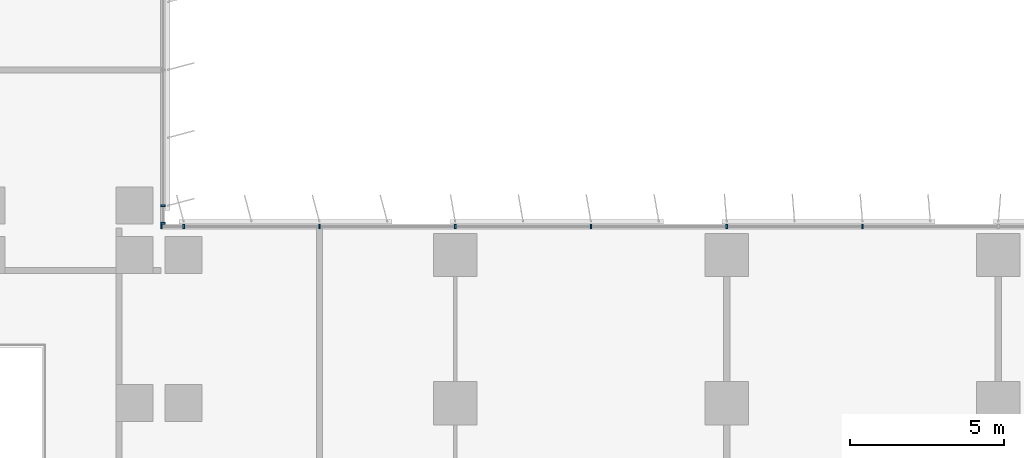
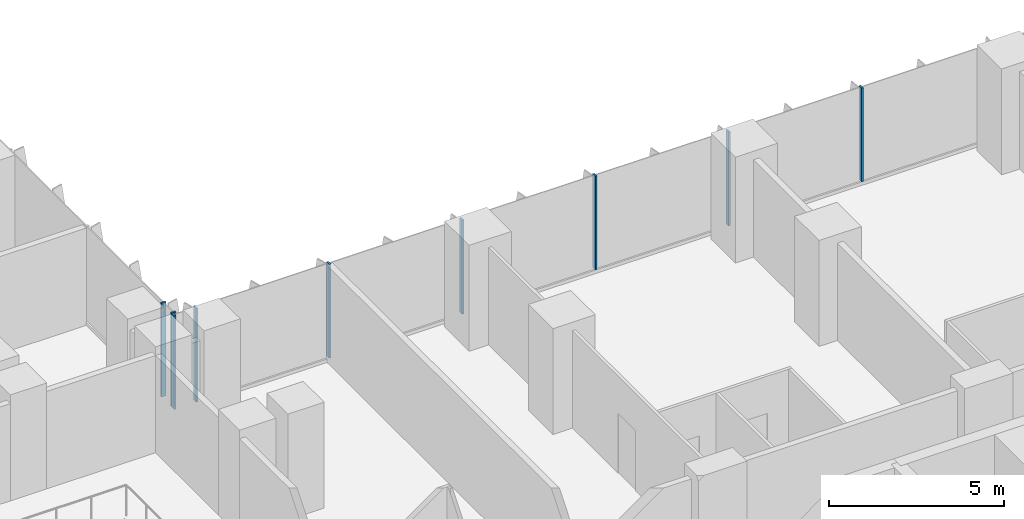
# One storey, part 2 of 24: 9 members, 2 elements without a shape of their own.
"""IFC4 building model written with IfcOpenShell, lengths in metres."""

from ifc_helpers import new_model, si_unit, direction, frame, origin, origin_2d, place, context, subcontext, project, spatial, rectangle, extrude, source, transform, mapped, material, material_profile, profile_set, type_object, element, aggregate, save


model = new_model("IFC4")

# Units and contexts
model_context = context("Model", 3, precision=1e-05, world=origin(), true_north=direction((0.0, 1.0)))
body_context = subcontext(model_context, "Body", "Model", "MODEL_VIEW")
ifc_project = project(units=[si_unit("LENGTHUNIT", "METRE"), si_unit("AREAUNIT", "SQUARE_METRE"), si_unit("VOLUMEUNIT", "CUBIC_METRE"), si_unit("PLANEANGLEUNIT", "RADIAN"), si_unit("MASSUNIT", "GRAM", prefix="KILO")], contexts=[model_context])

# Site, building, storey
site_placement = place(None, origin())
site = spatial("IfcSite", under=ifc_project, at=site_placement, CompositionType="ELEMENT")
building_placement = place(site_placement, origin())
building = spatial("IfcBuilding", under=site, at=building_placement, Name="Kemantara Hotel Tower", CompositionType="ELEMENT")
storey_placement = place(building_placement, frame((0.0, 0.0, 45.10009765625)))
storey = spatial("IfcBuildingStorey", under=building, at=storey_placement, Name="L09", CompositionType="ELEMENT", Elevation=45.10009765625)

# Curtain wall, members
ifc_material_1 = material(Name="Low-E tinted double insulated glass 36 mm", Category="glass")
curtain_wall_type = type_object("IfcCurtainWallType", Name="TOWER CURTAIN WALL, FRONT FACES", PredefinedType="USERDEFINED", material=ifc_material_1)
curtain_wall_1_placement = place(storey_placement, origin())
curtain_wall_1 = element("IfcCurtainWall", 1, at=curtain_wall_1_placement, inside=storey, type_object=curtain_wall_type, Name="CW4 L09 T1-R07-1", ObjectType="TOWER CURTAIN WALL, FRONT FACES", PredefinedType="USERDEFINED")
ifc_material_2 = material(Name="Aluminium 6063-T6 bronze anodised", Category="aluminium")
ifc_material_profile = material_profile(ifc_material_2, rectangle(XDim=0.14990234375, YDim=0.06005859375, at=origin_2d()), Name="TOWER CURTAIN WALL, FRONT FACES MULLION")
ifc_profile_set = profile_set([ifc_material_profile], Name="Aluminium 6063-T6 bronze anodised")
member_type = type_object("IfcMemberType", Name="TOWER CURTAIN WALL, FRONT FACES MULLION", PredefinedType="MULLION", material=ifc_profile_set)
shared_shape = source(origin(), body_context, "Body", "SweptSolid", [
    extrude(rectangle(XDim=0.14990234375, YDim=0.06005859375, at=origin_2d()), origin(), (0.0, 0.0, 1.0), 3.280029296875),
])
member_1_placement = place(storey_placement, frame((49.39990234375, 26.72509765625, 0.119873046875), z_axis=(0.0, 0.0, 1.0), x_axis=(0.0, -1.0, 0.0)))
member_1 = element("IfcMember", 2, at=member_1_placement, type_object=member_type, Name="CW4 mullion T1-R07-1.8", PredefinedType="MULLION", context=body_context, shape_type="MappedRepresentation", body=[
    mapped(shared_shape, transform((0.0, 0.0, 0.0))),
])
member_2_placement = place(storey_placement, frame((45.0, 26.72509765625, 0.119873046875), z_axis=(0.0, 0.0, 1.0), x_axis=(0.0, -1.0, 0.0)))
member_2 = element("IfcMember", 3, at=member_2_placement, type_object=member_type, Name="CW4 mullion T1-R07-1.9", PredefinedType="MULLION", context=body_context, shape_type="MappedRepresentation", body=[
    mapped(shared_shape, transform((0.0, 0.0, 0.0))),
])
member_3_placement = place(storey_placement, frame((40.60009765625, 26.72509765625, 0.119873046875), z_axis=(0.0, 0.0, 1.0), x_axis=(0.0, -1.0, 0.0)))
member_3 = element("IfcMember", 4, at=member_3_placement, type_object=member_type, Name="CW4 mullion T1-R07-1.10", PredefinedType="MULLION", context=body_context, shape_type="MappedRepresentation", body=[
    mapped(shared_shape, transform((0.0, 0.0, 0.0))),
])
member_4_placement = place(storey_placement, frame((36.199951171875, 26.72509765625, 0.119873046875), z_axis=(0.0, 0.0, 1.0), x_axis=(0.0, -1.0, 0.0)))
member_4 = element("IfcMember", 5, at=member_4_placement, type_object=member_type, Name="CW4 mullion T1-R07-1.11", PredefinedType="MULLION", context=body_context, shape_type="MappedRepresentation", body=[
    mapped(shared_shape, transform((0.0, 0.0, 0.0))),
])
member_5_placement = place(storey_placement, frame((31.800048828125, 26.72509765625, 0.119873046875), z_axis=(0.0, 0.0, 1.0), x_axis=(0.0, -1.0, 0.0)))
member_5 = element("IfcMember", 6, at=member_5_placement, type_object=member_type, Name="CW4 mullion T1-R07-1.12", PredefinedType="MULLION", context=body_context, shape_type="MappedRepresentation", body=[
    mapped(shared_shape, transform((0.0, 0.0, 0.0))),
])
member_6_placement = place(storey_placement, frame((27.39990234375, 26.72509765625, 0.119873046875), z_axis=(0.0, 0.0, 1.0), x_axis=(0.0, -1.0, 0.0)))
member_6 = element("IfcMember", 7, at=member_6_placement, type_object=member_type, Name="CW4 mullion T1-R07-1.13", PredefinedType="MULLION", context=body_context, shape_type="MappedRepresentation", body=[
    mapped(shared_shape, transform((0.0, 0.0, 0.0))),
])
member_7_placement = place(storey_placement, frame((26.679931640625, 26.72509765625, 0.119873046875), z_axis=(0.0, 0.0, 1.0), x_axis=(0.0, -1.0, 0.0)))
member_7 = element("IfcMember", 8, at=member_7_placement, type_object=member_type, Name="CW4 mullion T1-R07-1.14", PredefinedType="MULLION", context=body_context, shape_type="MappedRepresentation", body=[
    mapped(shared_shape, transform((0.0, 0.0, 0.0))),
])
aggregate(curtain_wall_1, [member_1, member_2, member_3, member_4, member_5, member_6, member_7])

curtain_wall_2_placement = place(storey_placement, origin())
curtain_wall_2 = element("IfcCurtainWall", 9, at=curtain_wall_2_placement, inside=storey, type_object=curtain_wall_type, Name="CW4 L09 T1-R08-1", ObjectType="TOWER CURTAIN WALL, FRONT FACES", PredefinedType="USERDEFINED")
member_8_placement = place(storey_placement, frame((26.72509765625, 26.830078125, 0.119873046875), z_axis=(0.0, 0.0, 1.0), x_axis=(-1.0, 0.0, 0.0)))
member_8 = element("IfcMember", 10, at=member_8_placement, type_object=member_type, Name="CW4 mullion T1-R08-1.1", PredefinedType="MULLION", context=body_context, shape_type="MappedRepresentation", body=[
    mapped(shared_shape, transform((0.0, 0.0, 0.0))),
])
member_9_placement = place(storey_placement, frame((26.72509765625, 27.39990234375, 0.119873046875), z_axis=(0.0, 0.0, 1.0), x_axis=(-1.0, 0.0, 0.0)))
member_9 = element("IfcMember", 11, at=member_9_placement, type_object=member_type, Name="CW4 mullion T1-R08-1.2", PredefinedType="MULLION", context=body_context, shape_type="MappedRepresentation", body=[
    mapped(shared_shape, transform((0.0, 0.0, 0.0))),
])
aggregate(curtain_wall_2, [member_8, member_9])

save(model, "model.ifc")
